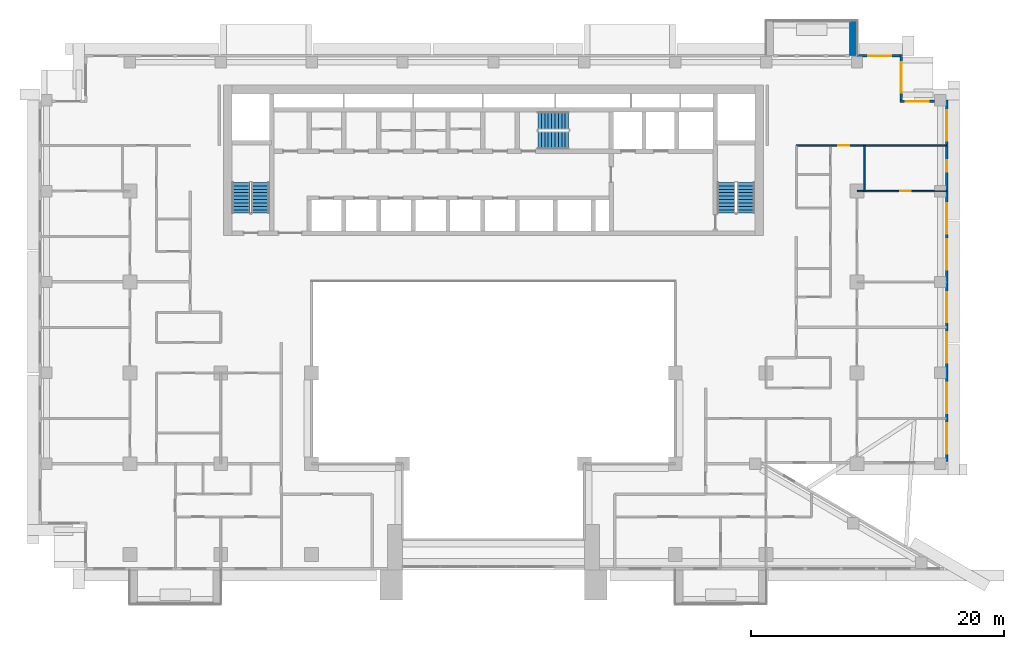
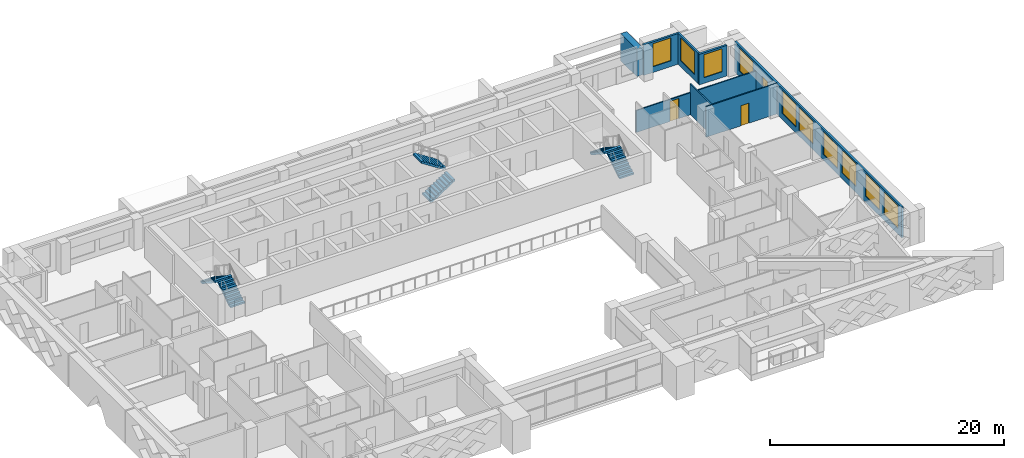
# One storey, part 12 of 19: 11 windows, 8 walls, 6 stair flights, 2 doors, 13 openings, 3 elements without a shape of their own.
"""IFC4 building model written with IfcOpenShell, lengths in metres."""

from ifc_helpers import new_model, si_unit, direction, frame, frame_2d, origin, place, context, subcontext, project, spatial, polyline, rectangle, outline, extrude, material, layer, layer_set, type_object, element, fill, aggregate, save


model = new_model("IFC4")

# Units and contexts
model_context = context("Model", 3, precision=1e-05, world=origin(), true_north=direction((0.0, 1.0)))
body_context = subcontext(model_context, "Body", "Model", "MODEL_VIEW")
ifc_project = project(units=[si_unit("LENGTHUNIT", "METRE"), si_unit("AREAUNIT", "SQUARE_METRE"), si_unit("VOLUMEUNIT", "CUBIC_METRE"), si_unit("PLANEANGLEUNIT", "RADIAN"), si_unit("MASSUNIT", "GRAM", prefix="KILO")], contexts=[model_context])

# Site, building, storey
site_placement = place(None, origin())
site = spatial("IfcSite", under=ifc_project, at=site_placement, CompositionType="ELEMENT")
building_placement = place(site_placement, origin())
building = spatial("IfcBuilding", under=site, at=building_placement, Name="Saffron Iwan Residences", CompositionType="ELEMENT")
storey_placement = place(building_placement, frame((0.0, 0.0, 116.5)))
storey = spatial("IfcBuildingStorey", under=building, at=storey_placement, Name="L30", CompositionType="ELEMENT", Elevation=116.5)

# Wall
ifc_material_1 = material(Name="Concrete C50/60 white painted", Category="concrete")
ifc_layer_1 = layer(ifc_material_1, 0.60009765625)
ifc_layer_set_1 = layer_set([ifc_layer_1], Name="Concrete C50/60 white painted")
wall_type_1 = type_object("IfcWallType", Name="BALCONY FIN 600", PredefinedType="SOLIDWALL", material=ifc_layer_set_1)
wall_1_placement = place(storey_placement, frame((78.89990234375, 80.35009765625, 0.0), z_axis=(0.0, 0.0, 1.0), x_axis=(0.0, 1.0, 0.0)))
element("IfcWall", 1, at=wall_1_placement, inside=storey, type_object=wall_type_1, Name="Balcony fin L30 F5-0a", PredefinedType="SOLIDWALL", context=body_context, shape_type="SweptSolid", body=[
    extrude(rectangle(XDim=2.75, YDim=0.60009765625, at=frame_2d((1.375, 0.0))), origin(), (0.0, 0.0, 1.0), 2.85009765625),
])

# Wall, openings, windows
ifc_material_2 = material(Name="Concrete C40/50", Category="concrete")
ifc_layer_2 = layer(ifc_material_2, 0.199951171875)
ifc_layer_set_2 = layer_set([ifc_layer_2], Name="Concrete C40/50")
wall_type_2 = type_object("IfcWallType", Name="EXTERNAL WALL 200", PredefinedType="SOLIDWALL", material=ifc_layer_set_2)
wall_2_placement = place(storey_placement, frame((86.300048828125, 48.199951171875, 0.0), z_axis=(0.0, 0.0, 1.0), x_axis=(0.0, 1.0, 0.0)))
wall_2 = element("IfcWall", 2, at=wall_2_placement, inside=storey, type_object=wall_type_2, Name="External wall L30 F2.0", PredefinedType="SOLIDWALL", context=body_context, shape_type="SweptSolid", body=[
    extrude(rectangle(XDim=28.60009765625, YDim=0.199951171875, at=frame_2d((14.300048828125, 0.0))), origin(), (0.0, 0.0, 1.0), 3.199951171875),
])
opening_1_placement = place(wall_2_placement, frame((0.60009765625, 0.0, 0.60009765625)))
opening_1 = element("IfcOpeningElement", 3, at=opening_1_placement, cuts=wall_2, Name="Opening W1", PredefinedType="OPENING", context=body_context, shape_type="SweptSolid", body=[
    extrude(rectangle(XDim=2.39990234375, YDim=2.39990234375, at=frame_2d((1.199951171875, 1.199951171875))), frame((0.0, 0.10986328125, 0.0), z_axis=(0.0, -1.0, 0.0), x_axis=(1.0, 0.0, 0.0)), (0.0, 0.0, 1.0), 0.219970703125),
])
opening_2_placement = place(wall_2_placement, frame((3.800048828125, 0.0, 0.60009765625)))
opening_2 = element("IfcOpeningElement", 4, at=opening_2_placement, cuts=wall_2, Name="Opening W1", PredefinedType="OPENING", context=body_context, shape_type="SweptSolid", body=[
    extrude(rectangle(XDim=2.39990234375, YDim=2.39990234375, at=frame_2d((1.199951171875, 1.199951171875))), frame((0.0, 0.10986328125, 0.0), z_axis=(0.0, -1.0, 0.0), x_axis=(1.0, 0.0, 0.0)), (0.0, 0.0, 1.0), 0.219970703125),
])
opening_3_placement = place(wall_2_placement, frame((7.800048828125, 0.0, 0.60009765625)))
opening_3 = element("IfcOpeningElement", 5, at=opening_3_placement, cuts=wall_2, Name="Opening W1", PredefinedType="OPENING", context=body_context, shape_type="SweptSolid", body=[
    extrude(rectangle(XDim=2.39990234375, YDim=2.39990234375, at=frame_2d((1.199951171875, 1.199951171875))), frame((0.0, 0.10986328125, 0.0), z_axis=(0.0, -1.0, 0.0), x_axis=(1.0, 0.0, 0.0)), (0.0, 0.0, 1.0), 0.219970703125),
])
opening_4_placement = place(wall_2_placement, frame((11.0, 0.0, 0.60009765625)))
opening_4 = element("IfcOpeningElement", 6, at=opening_4_placement, cuts=wall_2, Name="Opening W1", PredefinedType="OPENING", context=body_context, shape_type="SweptSolid", body=[
    extrude(rectangle(XDim=2.39990234375, YDim=2.39990234375, at=frame_2d((1.199951171875, 1.199951171875))), frame((0.0, 0.10986328125, 0.0), z_axis=(0.0, -1.0, 0.0), x_axis=(1.0, 0.0, 0.0)), (0.0, 0.0, 1.0), 0.219970703125),
])
opening_5_placement = place(wall_2_placement, frame((15.166748046875, 0.0, 0.60009765625)))
opening_5 = element("IfcOpeningElement", 7, at=opening_5_placement, cuts=wall_2, Name="Opening W1", PredefinedType="OPENING", context=body_context, shape_type="SweptSolid", body=[
    extrude(rectangle(XDim=2.39990234375, YDim=2.39990234375, at=frame_2d((1.199951171875, 1.199951171875))), frame((0.0, 0.10986328125, 0.0), z_axis=(0.0, -1.0, 0.0), x_axis=(1.0, 0.0, 0.0)), (0.0, 0.0, 1.0), 0.219970703125),
])
opening_6_placement = place(wall_2_placement, frame((18.033203125, 0.0, 0.60009765625)))
opening_6 = element("IfcOpeningElement", 8, at=opening_6_placement, cuts=wall_2, Name="Opening W1", PredefinedType="OPENING", context=body_context, shape_type="SweptSolid", body=[
    extrude(rectangle(XDim=2.39990234375, YDim=2.39990234375, at=frame_2d((1.199951171875, 1.199951171875))), frame((0.0, 0.10986328125, 0.0), z_axis=(0.0, -1.0, 0.0), x_axis=(1.0, 0.0, 0.0)), (0.0, 0.0, 1.0), 0.219970703125),
])
opening_7_placement = place(wall_2_placement, frame((22.949951171875, 0.0, 1.5)))
opening_7 = element("IfcOpeningElement", 9, at=opening_7_placement, cuts=wall_2, Name="Opening W6", PredefinedType="OPENING", context=body_context, shape_type="SweptSolid", body=[
    extrude(rectangle(XDim=0.89990234375, YDim=0.89990234375, at=frame_2d((0.449951171875, 0.449951171875))), frame((0.0, 0.10986328125, 0.0), z_axis=(0.0, -1.0, 0.0), x_axis=(1.0, 0.0, 0.0)), (0.0, 0.0, 1.0), 0.219970703125),
])
opening_8_placement = place(wall_2_placement, frame((25.39990234375, 0.0, 0.60009765625)))
opening_8 = element("IfcOpeningElement", 10, at=opening_8_placement, cuts=wall_2, Name="Opening W1", PredefinedType="OPENING", context=body_context, shape_type="SweptSolid", body=[
    extrude(rectangle(XDim=2.39990234375, YDim=2.39990234375, at=frame_2d((1.199951171875, 1.199951171875))), frame((0.0, 0.10986328125, 0.0), z_axis=(0.0, -1.0, 0.0), x_axis=(1.0, 0.0, 0.0)), (0.0, 0.0, 1.0), 0.219970703125),
])
ifc_material_3 = material(Name="Clear glass, laminated double glazed", Category="glass")
window_type_1 = type_object("IfcWindowType", Name="WINDOW 2400 x 2400", PartitioningType="DOUBLE_PANEL_VERTICAL", PredefinedType="WINDOW", material=ifc_material_3)
window_1_placement = place(opening_1_placement, origin())
window_1 = element("IfcWindow", 11, at=window_1_placement, inside=storey, type_object=window_type_1, Name="Window L30 F2.0", OverallHeight=2.39990234375, OverallWidth=2.39990234375, PartitioningType="DOUBLE_PANEL_VERTICAL", PredefinedType="WINDOW", context=body_context, shape_type="SweptSolid", body=[
    extrude(rectangle(XDim=2.39990234375, YDim=2.39990234375, at=frame_2d((1.199951171875, 1.199951171875))), frame((0.0, 0.030029296875, 0.0), z_axis=(0.0, -1.0, 0.0), x_axis=(1.0, 0.0, 0.0)), (0.0, 0.0, 1.0), 0.06005859375),
])
fill(opening_1, window_1)
window_2_placement = place(opening_2_placement, origin())
window_2 = element("IfcWindow", 12, at=window_2_placement, inside=storey, type_object=window_type_1, Name="Window L30 F2.1", OverallHeight=2.39990234375, OverallWidth=2.39990234375, PartitioningType="DOUBLE_PANEL_VERTICAL", PredefinedType="WINDOW", context=body_context, shape_type="SweptSolid", body=[
    extrude(rectangle(XDim=2.39990234375, YDim=2.39990234375, at=frame_2d((1.199951171875, 1.199951171875))), frame((0.0, 0.030029296875, 0.0), z_axis=(0.0, -1.0, 0.0), x_axis=(1.0, 0.0, 0.0)), (0.0, 0.0, 1.0), 0.06005859375),
])
fill(opening_2, window_2)
window_3_placement = place(opening_3_placement, origin())
window_3 = element("IfcWindow", 13, at=window_3_placement, inside=storey, type_object=window_type_1, Name="Window L30 F2.2", OverallHeight=2.39990234375, OverallWidth=2.39990234375, PartitioningType="DOUBLE_PANEL_VERTICAL", PredefinedType="WINDOW", context=body_context, shape_type="SweptSolid", body=[
    extrude(rectangle(XDim=2.39990234375, YDim=2.39990234375, at=frame_2d((1.199951171875, 1.199951171875))), frame((0.0, 0.030029296875, 0.0), z_axis=(0.0, -1.0, 0.0), x_axis=(1.0, 0.0, 0.0)), (0.0, 0.0, 1.0), 0.06005859375),
])
fill(opening_3, window_3)
window_4_placement = place(opening_4_placement, origin())
window_4 = element("IfcWindow", 14, at=window_4_placement, inside=storey, type_object=window_type_1, Name="Window L30 F2.3", OverallHeight=2.39990234375, OverallWidth=2.39990234375, PartitioningType="DOUBLE_PANEL_VERTICAL", PredefinedType="WINDOW", context=body_context, shape_type="SweptSolid", body=[
    extrude(rectangle(XDim=2.39990234375, YDim=2.39990234375, at=frame_2d((1.199951171875, 1.199951171875))), frame((0.0, 0.030029296875, 0.0), z_axis=(0.0, -1.0, 0.0), x_axis=(1.0, 0.0, 0.0)), (0.0, 0.0, 1.0), 0.06005859375),
])
fill(opening_4, window_4)
window_5_placement = place(opening_5_placement, origin())
window_5 = element("IfcWindow", 15, at=window_5_placement, inside=storey, type_object=window_type_1, Name="Window L30 F2.4", OverallHeight=2.39990234375, OverallWidth=2.39990234375, PartitioningType="DOUBLE_PANEL_VERTICAL", PredefinedType="WINDOW", context=body_context, shape_type="SweptSolid", body=[
    extrude(rectangle(XDim=2.39990234375, YDim=2.39990234375, at=frame_2d((1.199951171875, 1.199951171875))), frame((0.0, 0.030029296875, 0.0), z_axis=(0.0, -1.0, 0.0), x_axis=(1.0, 0.0, 0.0)), (0.0, 0.0, 1.0), 0.06005859375),
])
fill(opening_5, window_5)
window_6_placement = place(opening_6_placement, origin())
window_6 = element("IfcWindow", 16, at=window_6_placement, inside=storey, type_object=window_type_1, Name="Window L30 F2.5", OverallHeight=2.39990234375, OverallWidth=2.39990234375, PartitioningType="DOUBLE_PANEL_VERTICAL", PredefinedType="WINDOW", context=body_context, shape_type="SweptSolid", body=[
    extrude(rectangle(XDim=2.39990234375, YDim=2.39990234375, at=frame_2d((1.199951171875, 1.199951171875))), frame((0.0, 0.030029296875, 0.0), z_axis=(0.0, -1.0, 0.0), x_axis=(1.0, 0.0, 0.0)), (0.0, 0.0, 1.0), 0.06005859375),
])
fill(opening_6, window_6)
window_7_placement = place(opening_8_placement, origin())
window_7 = element("IfcWindow", 17, at=window_7_placement, inside=storey, type_object=window_type_1, Name="Window L30 F2.7", OverallHeight=2.39990234375, OverallWidth=2.39990234375, PartitioningType="DOUBLE_PANEL_VERTICAL", PredefinedType="WINDOW", context=body_context, shape_type="SweptSolid", body=[
    extrude(rectangle(XDim=2.39990234375, YDim=2.39990234375, at=frame_2d((1.199951171875, 1.199951171875))), frame((0.0, 0.030029296875, 0.0), z_axis=(0.0, -1.0, 0.0), x_axis=(1.0, 0.0, 0.0)), (0.0, 0.0, 1.0), 0.06005859375),
])
fill(opening_8, window_7)
window_type_2 = type_object("IfcWindowType", Name="WINDOW 900 x 900 BATH", PartitioningType="SINGLE_PANEL", PredefinedType="WINDOW", material=ifc_material_3)
window_8_placement = place(opening_7_placement, origin())
window_8 = element("IfcWindow", 18, at=window_8_placement, inside=storey, type_object=window_type_2, Name="Window L30 F2.6", OverallHeight=0.89990234375, OverallWidth=0.89990234375, PartitioningType="SINGLE_PANEL", PredefinedType="WINDOW", context=body_context, shape_type="SweptSolid", body=[
    extrude(rectangle(XDim=0.89990234375, YDim=0.89990234375, at=frame_2d((0.449951171875, 0.449951171875))), frame((0.0, 0.030029296875, 0.0), z_axis=(0.0, -1.0, 0.0), x_axis=(1.0, 0.0, 0.0)), (0.0, 0.0, 1.0), 0.06005859375),
])
fill(opening_7, window_8)

# Wall, opening, window
wall_3_placement = place(storey_placement, frame((85.35009765625, 76.699951171875, 0.0), z_axis=(0.0, 0.0, 1.0), x_axis=(-1.0, 0.0, 0.0)))
wall_3 = element("IfcWall", 19, at=wall_3_placement, inside=storey, type_object=wall_type_2, Name="External wall L30 F3.0", PredefinedType="SOLIDWALL", context=body_context, shape_type="SweptSolid", body=[
    extrude(rectangle(XDim=2.75, YDim=0.199951171875, at=frame_2d((1.375, 0.0))), origin(), (0.0, 0.0, 1.0), 3.199951171875),
])
opening_9_placement = place(wall_3_placement, frame((0.47509765625, 0.0, 0.60009765625)))
opening_9 = element("IfcOpeningElement", 20, at=opening_9_placement, cuts=wall_3, Name="Opening W8", PredefinedType="OPENING", context=body_context, shape_type="SweptSolid", body=[
    extrude(rectangle(XDim=1.800048828125, YDim=2.39990234375, at=frame_2d((0.89990234375, 1.199951171875))), frame((0.0, 0.10986328125, 0.0), z_axis=(0.0, -1.0, 0.0), x_axis=(1.0, 0.0, 0.0)), (0.0, 0.0, 1.0), 0.219970703125),
])
window_type_3 = type_object("IfcWindowType", Name="WINDOW 1800 x 2400", PartitioningType="DOUBLE_PANEL_VERTICAL", PredefinedType="WINDOW", material=ifc_material_3)
window_9_placement = place(opening_9_placement, origin())
window_9 = element("IfcWindow", 21, at=window_9_placement, inside=storey, type_object=window_type_3, Name="Window L30 F3.0", OverallHeight=2.39990234375, OverallWidth=1.800048828125, PartitioningType="DOUBLE_PANEL_VERTICAL", PredefinedType="WINDOW", context=body_context, shape_type="SweptSolid", body=[
    extrude(rectangle(XDim=1.800048828125, YDim=2.39990234375, at=frame_2d((0.89990234375, 1.199951171875))), frame((0.0, 0.030029296875, 0.0), z_axis=(0.0, -1.0, 0.0), x_axis=(1.0, 0.0, 0.0)), (0.0, 0.0, 1.0), 0.06005859375),
])
fill(opening_9, window_9)

wall_4_placement = place(storey_placement, frame((82.699951171875, 76.800048828125, 0.0), z_axis=(0.0, 0.0, 1.0), x_axis=(0.0, 1.0, 0.0)))
wall_4 = element("IfcWall", 22, at=wall_4_placement, inside=storey, type_object=wall_type_2, Name="External wall L30 F4.0", PredefinedType="SOLIDWALL", context=body_context, shape_type="SweptSolid", body=[
    extrude(rectangle(XDim=3.599853515625, YDim=0.199951171875, at=frame_2d((1.7998046875, 0.0))), origin(), (0.0, 0.0, 1.0), 3.199951171875),
])
opening_10_placement = place(wall_4_placement, frame((0.60009765625, 0.0, 0.60009765625)))
opening_10 = element("IfcOpeningElement", 23, at=opening_10_placement, cuts=wall_4, Name="Opening W1", PredefinedType="OPENING", context=body_context, shape_type="SweptSolid", body=[
    extrude(rectangle(XDim=2.39990234375, YDim=2.39990234375, at=frame_2d((1.199951171875, 1.199951171875))), frame((0.0, 0.10986328125, 0.0), z_axis=(0.0, -1.0, 0.0), x_axis=(1.0, 0.0, 0.0)), (0.0, 0.0, 1.0), 0.219970703125),
])
window_10_placement = place(opening_10_placement, origin())
window_10 = element("IfcWindow", 24, at=window_10_placement, inside=storey, type_object=window_type_1, Name="Window L30 F4.0", OverallHeight=2.39990234375, OverallWidth=2.39990234375, PartitioningType="DOUBLE_PANEL_VERTICAL", PredefinedType="WINDOW", context=body_context, shape_type="SweptSolid", body=[
    extrude(rectangle(XDim=2.39990234375, YDim=2.39990234375, at=frame_2d((1.199951171875, 1.199951171875))), frame((0.0, 0.030029296875, 0.0), z_axis=(0.0, -1.0, 0.0), x_axis=(1.0, 0.0, 0.0)), (0.0, 0.0, 1.0), 0.06005859375),
])
fill(opening_10, window_10)

wall_5_placement = place(storey_placement, frame((82.60009765625, 80.300048828125, 0.0), z_axis=(0.0, 0.0, 1.0), x_axis=(-1.0, 0.0, 0.0)))
wall_5 = element("IfcWall", 25, at=wall_5_placement, inside=storey, type_object=wall_type_2, Name="External wall L30 F5.0", PredefinedType="SOLIDWALL", context=body_context, shape_type="SweptSolid", body=[
    extrude(rectangle(XDim=3.400146484375, YDim=0.199951171875, at=frame_2d((1.7001953125, 0.0))), origin(), (0.0, 0.0, 1.0), 3.199951171875),
])
opening_11_placement = place(wall_5_placement, frame((0.699951171875, 0.0, 0.60009765625)))
opening_11 = element("IfcOpeningElement", 26, at=opening_11_placement, cuts=wall_5, Name="Opening W8", PredefinedType="OPENING", context=body_context, shape_type="SweptSolid", body=[
    extrude(rectangle(XDim=1.800048828125, YDim=2.39990234375, at=frame_2d((0.89990234375, 1.199951171875))), frame((0.0, 0.10986328125, 0.0), z_axis=(0.0, -1.0, 0.0), x_axis=(1.0, 0.0, 0.0)), (0.0, 0.0, 1.0), 0.219970703125),
])
window_11_placement = place(opening_11_placement, origin())
window_11 = element("IfcWindow", 27, at=window_11_placement, inside=storey, type_object=window_type_3, Name="Window L30 F5.0", OverallHeight=2.39990234375, OverallWidth=1.800048828125, PartitioningType="DOUBLE_PANEL_VERTICAL", PredefinedType="WINDOW", context=body_context, shape_type="SweptSolid", body=[
    extrude(rectangle(XDim=1.800048828125, YDim=2.39990234375, at=frame_2d((0.89990234375, 1.199951171875))), frame((0.0, 0.030029296875, 0.0), z_axis=(0.0, -1.0, 0.0), x_axis=(1.0, 0.0, 0.0)), (0.0, 0.0, 1.0), 0.06005859375),
])
fill(opening_11, window_11)

# Wall, opening, door
ifc_material_4 = material(Name="Gypsum board partition")
ifc_layer_3 = layer(ifc_material_4, 0.1201171875)
ifc_layer_set_3 = layer_set([ifc_layer_3], Name="Gypsum board partition")
wall_type_3 = type_object("IfcWallType", Name="Flat partition 120", PredefinedType="PARTITIONING", material=ifc_layer_set_3)
wall_6_placement = place(storey_placement, frame((79.199951171875, 69.60009765625, 0.0), z_axis=(0.0, 0.0, 1.0), x_axis=(1.0, 0.0, 0.0)))
wall_6 = element("IfcWall", 28, at=wall_6_placement, inside=storey, type_object=wall_type_3, Name="W-L30-PART-h69.6-79.2", PredefinedType="PARTITIONING", context=body_context, shape_type="SweptSolid", body=[
    extrude(rectangle(XDim=7.074951171875, YDim=0.1201171875, at=frame_2d((3.53759765625, 0.0))), origin(), (0.0, 0.0, 1.0), 3.199951171875),
])
opening_12_placement = place(wall_6_placement, frame((3.4375, 0.0, 0.0)))
opening_12 = element("IfcOpeningElement", 29, at=opening_12_placement, cuts=wall_6, Name="Opening FD3", PredefinedType="OPENING", context=body_context, shape_type="SweptSolid", body=[
    extrude(rectangle(XDim=0.800048828125, YDim=2.10009765625, at=frame_2d((0.39990234375, 1.050048828125))), frame((0.0, 0.070068359375, 0.0), z_axis=(0.0, -1.0, 0.0), x_axis=(1.0, 0.0, 0.0)), (0.0, 0.0, 1.0), 0.14013671875),
])
ifc_material_5 = material(Name="Timber door", Category="wood")
door_type_1 = type_object("IfcDoorType", Name="Bathroom door 800", OperationType="NOTDEFINED", PredefinedType="DOOR", material=ifc_material_5)
door_1_placement = place(opening_12_placement, origin())
door_1 = element("IfcDoor", 30, at=door_1_placement, inside=storey, type_object=door_type_1, Name="Door L30-032", OperationType="SINGLE_SWING_LEFT", OverallHeight=2.10009765625, OverallWidth=0.800048828125, PredefinedType="DOOR", context=body_context, shape_type="SweptSolid", body=[
    extrude(rectangle(XDim=0.800048828125, YDim=2.10009765625, at=frame_2d((0.39990234375, 1.050048828125))), frame((0.0, 0.02490234375, 0.0), z_axis=(0.0, -1.0, 0.0), x_axis=(1.0, 0.0, 0.0)), (0.0, 0.0, 1.0), 0.050048828125),
])
fill(opening_12, door_1)

wall_7_placement = place(storey_placement, frame((74.39990234375, 73.199951171875, 0.0), z_axis=(0.0, 0.0, 1.0), x_axis=(1.0, 0.0, 0.0)))
wall_7 = element("IfcWall", 31, at=wall_7_placement, inside=storey, type_object=wall_type_3, Name="W-L30-PART-h73.2-74.4", PredefinedType="PARTITIONING", context=body_context, shape_type="SweptSolid", body=[
    extrude(rectangle(XDim=11.875, YDim=0.1201171875, at=frame_2d((5.9375, 0.0))), origin(), (0.0, 0.0, 1.0), 2.300048828125),
])
opening_13_placement = place(wall_7_placement, frame((3.300048828125, 0.0, 0.0)))
opening_13 = element("IfcOpeningElement", 32, at=opening_13_placement, cuts=wall_7, Name="Opening FD2", PredefinedType="OPENING", context=body_context, shape_type="SweptSolid", body=[
    extrude(rectangle(XDim=0.89990234375, YDim=2.10009765625, at=frame_2d((0.449951171875, 1.050048828125))), frame((0.0, 0.070068359375, 0.0), z_axis=(0.0, -1.0, 0.0), x_axis=(1.0, 0.0, 0.0)), (0.0, 0.0, 1.0), 0.14013671875),
])
door_type_2 = type_object("IfcDoorType", Name="Flat door 900", OperationType="NOTDEFINED", PredefinedType="DOOR", material=ifc_material_5)
door_2_placement = place(opening_13_placement, origin())
door_2 = element("IfcDoor", 33, at=door_2_placement, inside=storey, type_object=door_type_2, Name="Door L30-033", OperationType="SINGLE_SWING_LEFT", OverallHeight=2.10009765625, OverallWidth=0.89990234375, PredefinedType="DOOR", context=body_context, shape_type="SweptSolid", body=[
    extrude(rectangle(XDim=0.89990234375, YDim=2.10009765625, at=frame_2d((0.449951171875, 1.050048828125))), frame((0.0, 0.02490234375, 0.0), z_axis=(0.0, -1.0, 0.0), x_axis=(1.0, 0.0, 0.0)), (0.0, 0.0, 1.0), 0.050048828125),
])
fill(opening_13, door_2)

# Wall
wall_8_placement = place(storey_placement, frame((79.800048828125, 69.60009765625, 0.0), z_axis=(0.0, 0.0, 1.0), x_axis=(0.0, 1.0, 0.0)))
element("IfcWall", 34, at=wall_8_placement, inside=storey, type_object=wall_type_3, Name="W-L30-PART-v79.8-69.6", PredefinedType="PARTITIONING", context=body_context, shape_type="SweptSolid", body=[
    extrude(rectangle(XDim=3.599853515625, YDim=0.1201171875, at=frame_2d((1.7998046875, 0.0))), origin(), (0.0, 0.0, 1.0), 3.199951171875),
])

# Stair, stair flights
ifc_material_6 = material(Name="Concrete C50/60", Category="concrete")
stair_type = type_object("IfcStairType", Name="Stair ST-CORE", PredefinedType="HALF_TURN_STAIR", material=ifc_material_6)
stair_1_placement = place(storey_placement, origin())
stair_1 = element("IfcStair", 35, at=stair_1_placement, inside=storey, type_object=stair_type, Name="L30 Exit Stair ST-W", PredefinedType="HALF_TURN_STAIR")
ifc_layer_4 = layer(ifc_material_6, 0.14990234375)
ifc_layer_set_4 = layer_set([ifc_layer_4], Name="Concrete C50/60")
stair_flight_type = type_object("IfcStairFlightType", Name="Stair flight SFL-RC", PredefinedType="STRAIGHT", material=ifc_layer_set_4)
stair_flight_1_placement = place(storey_placement, frame((31.949951171875, 67.85009765625, 0.0), z_axis=(0.0, 0.0, 1.0), x_axis=(0.0, 1.0, 0.0)))
stair_flight_1 = element("IfcStairFlight", 36, at=stair_flight_1_placement, type_object=stair_flight_type, Name="ST-W flight 1", NumberOfRisers=10, NumberOfTreads=9, PredefinedType="STRAIGHT", RiserHeight=0.175, TreadLength=0.27, context=body_context, shape_type="SweptSolid", body=[
    extrude(outline(polyline([(0.0, 0.0), (0.0, 0.175048828125), (0.27001953125, 0.175048828125), (0.27001953125, 0.35009765625), (0.5400390625, 0.35009765625), (0.5400390625, 0.52490234375), (0.81005859375, 0.52490234375), (0.81005859375, 0.699951171875), (1.080078125, 0.699951171875), (1.080078125, 0.875), (1.35009765625, 0.875), (1.35009765625, 1.050048828125), (1.6201171875, 1.050048828125), (1.6201171875, 1.22509765625), (1.889892578125, 1.22509765625), (1.889892578125, 1.39990234375), (2.159912109375, 1.39990234375), (2.159912109375, 1.574951171875), (2.429931640625, 1.574951171875), (2.429931640625, 1.75), (2.429931640625, 1.396484375), (0.275634765625, 0.0), (0.0, 0.0)])), frame((0.0, 0.699951171875, 0.0), z_axis=(0.0, -1.0, 0.0), x_axis=(1.0, 0.0, 0.0)), (0.0, 0.0, 1.0), 1.39990234375),
])
stair_flight_2_placement = place(storey_placement, frame((30.39990234375, 70.280029296875, 1.75), z_axis=(0.0, 0.0, 1.0), x_axis=(0.0, -1.0, 0.0)))
stair_flight_2 = element("IfcStairFlight", 37, at=stair_flight_2_placement, type_object=stair_flight_type, Name="ST-W flight 2", NumberOfRisers=10, NumberOfTreads=9, PredefinedType="STRAIGHT", RiserHeight=0.175, TreadLength=0.27, context=body_context, shape_type="SweptSolid", body=[
    extrude(outline(polyline([(0.0, 0.0), (0.0, 0.175048828125), (0.27001953125, 0.175048828125), (0.27001953125, 0.35009765625), (0.5400390625, 0.35009765625), (0.5400390625, 0.52490234375), (0.81005859375, 0.52490234375), (0.81005859375, 0.699951171875), (1.080078125, 0.699951171875), (1.080078125, 0.875), (1.35009765625, 0.875), (1.35009765625, 1.050048828125), (1.6201171875, 1.050048828125), (1.6201171875, 1.22509765625), (1.889892578125, 1.22509765625), (1.889892578125, 1.39990234375), (2.159912109375, 1.39990234375), (2.159912109375, 1.574951171875), (2.429931640625, 1.574951171875), (2.429931640625, 1.75), (2.429931640625, 1.396484375), (0.275634765625, 0.0), (0.0, 0.0)])), frame((0.0, 0.699951171875, 0.0), z_axis=(0.0, -1.0, 0.0), x_axis=(1.0, 0.0, 0.0)), (0.0, 0.0, 1.0), 1.39990234375),
])
aggregate(stair_1, [stair_flight_1, stair_flight_2])

stair_2_placement = place(storey_placement, origin())
stair_2 = element("IfcStair", 38, at=stair_2_placement, inside=storey, type_object=stair_type, Name="L30 Exit Stair ST-C", PredefinedType="HALF_TURN_STAIR")
stair_flight_3_placement = place(storey_placement, frame((53.925048828125, 73.625, 0.0), z_axis=(0.0, 0.0, 1.0), x_axis=(1.0, 0.0, 0.0)))
stair_flight_3 = element("IfcStairFlight", 39, at=stair_flight_3_placement, type_object=stair_flight_type, Name="ST-C flight 1", NumberOfRisers=10, NumberOfTreads=9, PredefinedType="STRAIGHT", RiserHeight=0.175, TreadLength=0.27, context=body_context, shape_type="SweptSolid", body=[
    extrude(outline(polyline([(0.0, 0.0), (0.0, 0.175048828125), (0.27001953125, 0.175048828125), (0.27001953125, 0.35009765625), (0.5400390625, 0.35009765625), (0.5400390625, 0.52490234375), (0.81005859375, 0.52490234375), (0.81005859375, 0.699951171875), (1.080078125, 0.699951171875), (1.080078125, 0.875), (1.35009765625, 0.875), (1.35009765625, 1.050048828125), (1.6201171875, 1.050048828125), (1.6201171875, 1.22509765625), (1.889892578125, 1.22509765625), (1.889892578125, 1.39990234375), (2.159912109375, 1.39990234375), (2.159912109375, 1.574951171875), (2.429931640625, 1.574951171875), (2.429931640625, 1.75), (2.429931640625, 1.396484375), (0.275634765625, 0.0), (0.0, 0.0)])), frame((0.0, 0.699951171875, 0.0), z_axis=(0.0, -1.0, 0.0), x_axis=(1.0, 0.0, 0.0)), (0.0, 0.0, 1.0), 1.39990234375),
])
stair_flight_4_placement = place(storey_placement, frame((56.35498046875, 75.175048828125, 1.75), z_axis=(0.0, 0.0, 1.0), x_axis=(-1.0, 0.0, 0.0)))
stair_flight_4 = element("IfcStairFlight", 40, at=stair_flight_4_placement, type_object=stair_flight_type, Name="ST-C flight 2", NumberOfRisers=10, NumberOfTreads=9, PredefinedType="STRAIGHT", RiserHeight=0.175, TreadLength=0.27, context=body_context, shape_type="SweptSolid", body=[
    extrude(outline(polyline([(0.0, 0.0), (0.0, 0.175048828125), (0.27001953125, 0.175048828125), (0.27001953125, 0.35009765625), (0.5400390625, 0.35009765625), (0.5400390625, 0.52490234375), (0.81005859375, 0.52490234375), (0.81005859375, 0.699951171875), (1.080078125, 0.699951171875), (1.080078125, 0.875), (1.35009765625, 0.875), (1.35009765625, 1.050048828125), (1.6201171875, 1.050048828125), (1.6201171875, 1.22509765625), (1.889892578125, 1.22509765625), (1.889892578125, 1.39990234375), (2.159912109375, 1.39990234375), (2.159912109375, 1.574951171875), (2.429931640625, 1.574951171875), (2.429931640625, 1.75), (2.429931640625, 1.396484375), (0.275634765625, 0.0), (0.0, 0.0)])), frame((0.0, 0.699951171875, 0.0), z_axis=(0.0, -1.0, 0.0), x_axis=(1.0, 0.0, 0.0)), (0.0, 0.0, 1.0), 1.39990234375),
])
aggregate(stair_2, [stair_flight_3, stair_flight_4])

stair_3_placement = place(storey_placement, origin())
stair_3 = element("IfcStair", 41, at=stair_3_placement, inside=storey, type_object=stair_type, Name="L30 Exit Stair ST-E", PredefinedType="HALF_TURN_STAIR")
stair_flight_5_placement = place(storey_placement, frame((70.39990234375, 67.85009765625, 0.0), z_axis=(0.0, 0.0, 1.0), x_axis=(0.0, 1.0, 0.0)))
stair_flight_5 = element("IfcStairFlight", 42, at=stair_flight_5_placement, type_object=stair_flight_type, Name="ST-E flight 1", NumberOfRisers=10, NumberOfTreads=9, PredefinedType="STRAIGHT", RiserHeight=0.175, TreadLength=0.27, context=body_context, shape_type="SweptSolid", body=[
    extrude(outline(polyline([(0.0, 0.0), (0.0, 0.175048828125), (0.27001953125, 0.175048828125), (0.27001953125, 0.35009765625), (0.5400390625, 0.35009765625), (0.5400390625, 0.52490234375), (0.81005859375, 0.52490234375), (0.81005859375, 0.699951171875), (1.080078125, 0.699951171875), (1.080078125, 0.875), (1.35009765625, 0.875), (1.35009765625, 1.050048828125), (1.6201171875, 1.050048828125), (1.6201171875, 1.22509765625), (1.889892578125, 1.22509765625), (1.889892578125, 1.39990234375), (2.159912109375, 1.39990234375), (2.159912109375, 1.574951171875), (2.429931640625, 1.574951171875), (2.429931640625, 1.75), (2.429931640625, 1.396484375), (0.275634765625, 0.0), (0.0, 0.0)])), frame((0.0, 0.699951171875, 0.0), z_axis=(0.0, -1.0, 0.0), x_axis=(1.0, 0.0, 0.0)), (0.0, 0.0, 1.0), 1.39990234375),
])
stair_flight_6_placement = place(storey_placement, frame((68.85009765625, 70.280029296875, 1.75), z_axis=(0.0, 0.0, 1.0), x_axis=(0.0, -1.0, 0.0)))
stair_flight_6 = element("IfcStairFlight", 43, at=stair_flight_6_placement, type_object=stair_flight_type, Name="ST-E flight 2", NumberOfRisers=10, NumberOfTreads=9, PredefinedType="STRAIGHT", RiserHeight=0.175, TreadLength=0.27, context=body_context, shape_type="SweptSolid", body=[
    extrude(outline(polyline([(0.0, 0.0), (0.0, 0.175048828125), (0.27001953125, 0.175048828125), (0.27001953125, 0.35009765625), (0.5400390625, 0.35009765625), (0.5400390625, 0.52490234375), (0.81005859375, 0.52490234375), (0.81005859375, 0.699951171875), (1.080078125, 0.699951171875), (1.080078125, 0.875), (1.35009765625, 0.875), (1.35009765625, 1.050048828125), (1.6201171875, 1.050048828125), (1.6201171875, 1.22509765625), (1.889892578125, 1.22509765625), (1.889892578125, 1.39990234375), (2.159912109375, 1.39990234375), (2.159912109375, 1.574951171875), (2.429931640625, 1.574951171875), (2.429931640625, 1.75), (2.429931640625, 1.396484375), (0.275634765625, 0.0), (0.0, 0.0)])), frame((0.0, 0.699951171875, 0.0), z_axis=(0.0, -1.0, 0.0), x_axis=(1.0, 0.0, 0.0)), (0.0, 0.0, 1.0), 1.39990234375),
])
aggregate(stair_3, [stair_flight_5, stair_flight_6])

save(model, "model.ifc")
